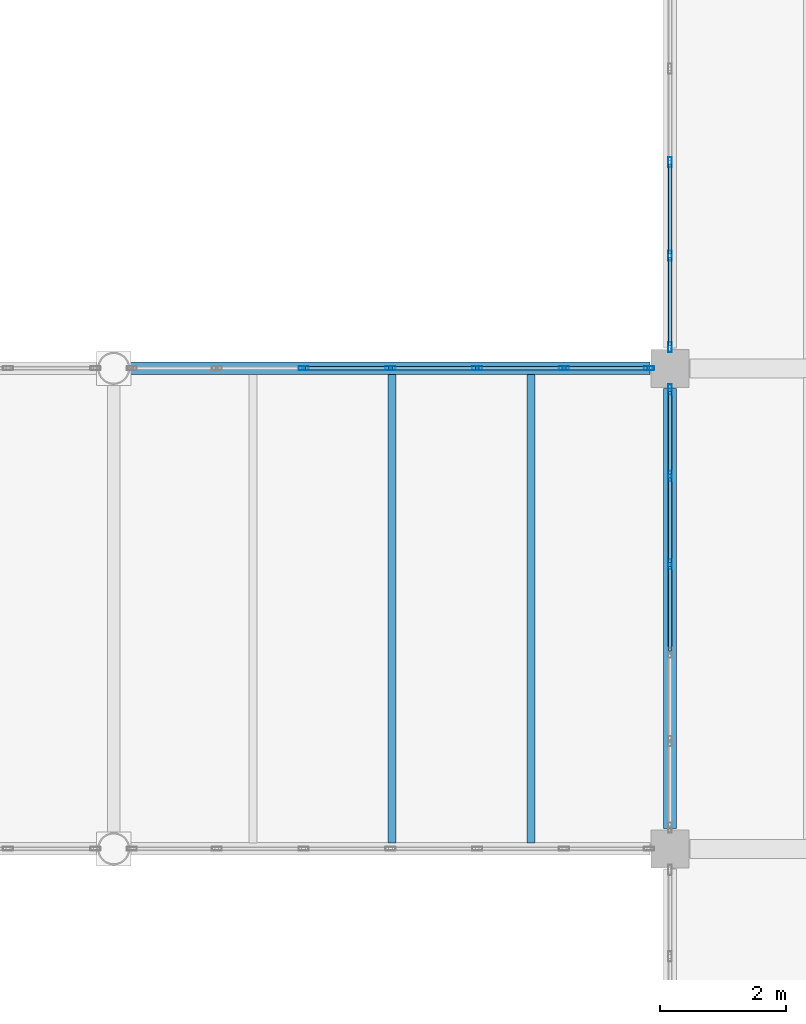
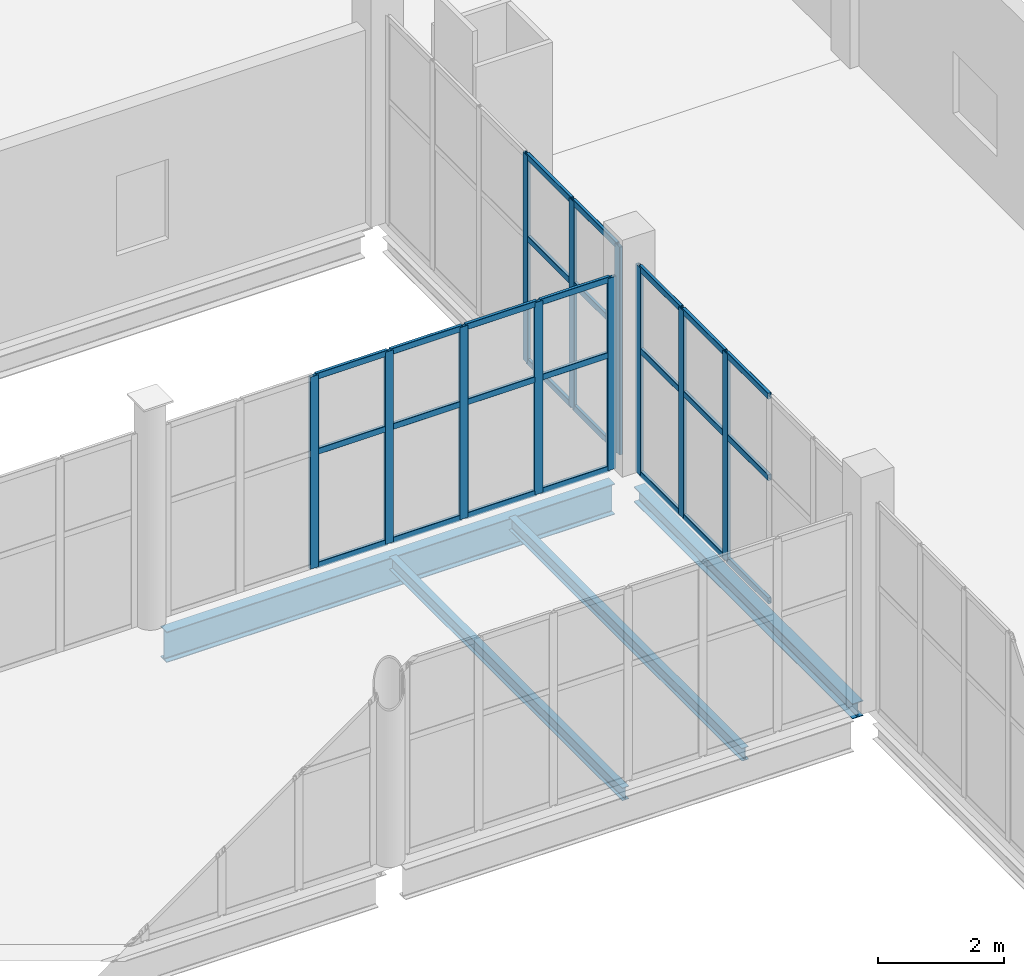
# One storey, part 87 of 136: 38 members, 4 beams, 3 elements without a shape of their own.
"""IFC4 building model written with IfcOpenShell, lengths in metres."""

from ifc_helpers import new_model, si_unit, direction, frame, origin, origin_2d, place, context, subcontext, project, spatial, hollow_rectangle, i_section, extrude, material, material_profile, profile_set, type_object, element, aggregate, save


model = new_model("IFC4")

# Units and contexts
model_context = context("Model", 3, precision=1e-05, world=origin(), true_north=direction((0.0, 1.0)))
body_context = subcontext(model_context, "Body", "Model", "MODEL_VIEW")
ifc_project = project(units=[si_unit("LENGTHUNIT", "METRE"), si_unit("AREAUNIT", "SQUARE_METRE"), si_unit("VOLUMEUNIT", "CUBIC_METRE"), si_unit("PLANEANGLEUNIT", "RADIAN"), si_unit("MASSUNIT", "GRAM", prefix="KILO")], contexts=[model_context])

# Site, building, storey
site_placement = place(None, origin())
site = spatial("IfcSite", under=ifc_project, at=site_placement, CompositionType="ELEMENT")
building_placement = place(site_placement, origin())
building = spatial("IfcBuilding", under=site, at=building_placement, Name="Shengluoqiao Park Theatre", CompositionType="ELEMENT")
storey_placement = place(building_placement, frame((0.0, 0.0, 10.0)))
storey = spatial("IfcBuildingStorey", under=building, at=storey_placement, Name="L02", CompositionType="ELEMENT", Elevation=10.0)

# Curtain wall, members
ifc_material_1 = material(Name="Aluminium 6063-T6", Category="aluminium")
curtain_wall_type_1 = type_object("IfcCurtainWallType", Name="ENV-CW-BRIDGE", PredefinedType="NOTDEFINED", material=ifc_material_1)
curtain_wall_1_placement = place(storey_placement, origin())
curtain_wall_1 = element("IfcCurtainWall", 1, at=curtain_wall_1_placement, inside=storey, type_object=curtain_wall_type_1, Name="L02 Curtain Wall CWX-L02-0122", PredefinedType="NOTDEFINED")
ifc_material_profile_1 = material_profile(ifc_material_1, hollow_rectangle(XDim=0.06005859375, YDim=0.159912109375, WallThickness=0.00390625, InnerFilletRadius=0.00390625, OuterFilletRadius=0.008056640625, at=origin_2d()), Name="ALU MULLION 160x60x4")
ifc_profile_set_1 = profile_set([ifc_material_profile_1], Name="Aluminium 6063-T6")
member_type_1 = type_object("IfcMemberType", Name="ENV-MUL-160", PredefinedType="MULLION", material=ifc_profile_set_1)
member_1_placement = place(storey_placement, frame((151.404052734375, 76.0, 0.0), z_axis=(0.0, 0.0, 1.0), x_axis=(0.0, 1.0, 0.0)))
member_1 = element("IfcMember", 2, at=member_1_placement, type_object=member_type_1, Name="CW-03 mullion 3", PredefinedType="MULLION", context=body_context, shape_type="SweptSolid", body=[
    extrude(hollow_rectangle(XDim=0.06005859375, YDim=0.159912109375, WallThickness=0.00390625, InnerFilletRadius=0.00390625, OuterFilletRadius=0.008056640625, at=origin_2d()), origin(), (0.0, 0.0, 1.0), 3.73193359375),
])
member_2_placement = place(storey_placement, frame((152.777099609375, 76.0, 0.0), z_axis=(0.0, 0.0, 1.0), x_axis=(0.0, 1.0, 0.0)))
member_2 = element("IfcMember", 3, at=member_2_placement, type_object=member_type_1, Name="CW-03 mullion 4", PredefinedType="MULLION", context=body_context, shape_type="SweptSolid", body=[
    extrude(hollow_rectangle(XDim=0.06005859375, YDim=0.159912109375, WallThickness=0.00390625, InnerFilletRadius=0.00390625, OuterFilletRadius=0.008056640625, at=origin_2d()), origin(), (0.0, 0.0, 1.0), 3.73193359375),
])
member_3_placement = place(storey_placement, frame((154.14990234375, 76.0, 0.0), z_axis=(0.0, 0.0, 1.0), x_axis=(0.0, 1.0, 0.0)))
member_3 = element("IfcMember", 4, at=member_3_placement, type_object=member_type_1, Name="CW-03 mullion 5", PredefinedType="MULLION", context=body_context, shape_type="SweptSolid", body=[
    extrude(hollow_rectangle(XDim=0.06005859375, YDim=0.159912109375, WallThickness=0.00390625, InnerFilletRadius=0.00390625, OuterFilletRadius=0.008056640625, at=origin_2d()), origin(), (0.0, 0.0, 1.0), 3.73193359375),
])
member_4_placement = place(storey_placement, frame((155.52294921875, 76.0, 0.0), z_axis=(0.0, 0.0, 1.0), x_axis=(0.0, 1.0, 0.0)))
member_4 = element("IfcMember", 5, at=member_4_placement, type_object=member_type_1, Name="CW-03 mullion 6", PredefinedType="MULLION", context=body_context, shape_type="SweptSolid", body=[
    extrude(hollow_rectangle(XDim=0.06005859375, YDim=0.159912109375, WallThickness=0.00390625, InnerFilletRadius=0.00390625, OuterFilletRadius=0.008056640625, at=origin_2d()), origin(), (0.0, 0.0, 1.0), 3.73193359375),
])
member_5_placement = place(storey_placement, frame((156.865966796875, 76.0, 0.0), z_axis=(0.0, 0.0, 1.0), x_axis=(0.0, 1.0, 0.0)))
member_5 = element("IfcMember", 6, at=member_5_placement, type_object=member_type_1, Name="CW-03 mullion 7", PredefinedType="MULLION", context=body_context, shape_type="SweptSolid", body=[
    extrude(hollow_rectangle(XDim=0.06005859375, YDim=0.159912109375, WallThickness=0.00390625, InnerFilletRadius=0.00390625, OuterFilletRadius=0.008056640625, at=origin_2d()), origin(), (0.0, 0.0, 1.0), 3.73193359375),
])

curtain_wall_type_2 = type_object("IfcCurtainWallType", Name="ENV-CW-COURT", PredefinedType="NOTDEFINED", material=ifc_material_1)
curtain_wall_2_placement = place(storey_placement, origin())
curtain_wall_2 = element("IfcCurtainWall", 7, at=curtain_wall_2_placement, inside=storey, type_object=curtain_wall_type_2, Name="L02 Curtain Wall CWX-L02-0198", PredefinedType="NOTDEFINED")
member_6_placement = place(storey_placement, frame((157.199951171875, 72.899169921875, 0.0), z_axis=(0.0, 0.0, 1.0), x_axis=(-1.0, 0.0, 0.0)))
member_6 = element("IfcMember", 8, at=member_6_placement, type_object=member_type_1, Name="CW-05 mullion 4", PredefinedType="MULLION", context=body_context, shape_type="SweptSolid", body=[
    extrude(hollow_rectangle(XDim=0.06005859375, YDim=0.159912109375, WallThickness=0.00390625, InnerFilletRadius=0.00390625, OuterFilletRadius=0.008056640625, at=origin_2d()), origin(), (0.0, 0.0, 1.0), 4.033935546875),
])
member_7_placement = place(storey_placement, frame((157.199951171875, 74.297607421875, 0.0), z_axis=(0.0, 0.0, 1.0), x_axis=(-1.0, 0.0, 0.0)))
member_7 = element("IfcMember", 9, at=member_7_placement, type_object=member_type_1, Name="CW-05 mullion 5", PredefinedType="MULLION", context=body_context, shape_type="SweptSolid", body=[
    extrude(hollow_rectangle(XDim=0.06005859375, YDim=0.159912109375, WallThickness=0.00390625, InnerFilletRadius=0.00390625, OuterFilletRadius=0.008056640625, at=origin_2d()), origin(), (0.0, 0.0, 1.0), 4.033935546875),
])
member_8_placement = place(storey_placement, frame((157.199951171875, 75.666015625, 0.0), z_axis=(0.0, 0.0, 1.0), x_axis=(-1.0, 0.0, 0.0)))
member_8 = element("IfcMember", 10, at=member_8_placement, type_object=member_type_1, Name="CW-05 mullion 6", PredefinedType="MULLION", context=body_context, shape_type="SweptSolid", body=[
    extrude(hollow_rectangle(XDim=0.06005859375, YDim=0.159912109375, WallThickness=0.00390625, InnerFilletRadius=0.00390625, OuterFilletRadius=0.008056640625, at=origin_2d()), origin(), (0.0, 0.0, 1.0), 4.033935546875),
])

curtain_wall_3_placement = place(storey_placement, origin())
curtain_wall_3 = element("IfcCurtainWall", 11, at=curtain_wall_3_placement, inside=storey, type_object=curtain_wall_type_2, Name="L02 Curtain Wall CWX-L02-0199", PredefinedType="NOTDEFINED")
member_9_placement = place(storey_placement, frame((157.199951171875, 76.333984375, 0.0), z_axis=(0.0, 0.0, 1.0), x_axis=(-1.0, 0.0, 0.0)))
member_9 = element("IfcMember", 12, at=member_9_placement, type_object=member_type_1, Name="CW-05 mullion 1", PredefinedType="MULLION", context=body_context, shape_type="SweptSolid", body=[
    extrude(hollow_rectangle(XDim=0.06005859375, YDim=0.159912109375, WallThickness=0.00390625, InnerFilletRadius=0.00390625, OuterFilletRadius=0.008056640625, at=origin_2d()), origin(), (0.0, 0.0, 1.0), 4.033935546875),
])
member_10_placement = place(storey_placement, frame((157.199951171875, 77.782470703125, 0.0), z_axis=(0.0, 0.0, 1.0), x_axis=(-1.0, 0.0, 0.0)))
member_10 = element("IfcMember", 13, at=member_10_placement, type_object=member_type_1, Name="CW-05 mullion 2", PredefinedType="MULLION", context=body_context, shape_type="SweptSolid", body=[
    extrude(hollow_rectangle(XDim=0.06005859375, YDim=0.159912109375, WallThickness=0.00390625, InnerFilletRadius=0.00390625, OuterFilletRadius=0.008056640625, at=origin_2d()), origin(), (0.0, 0.0, 1.0), 4.033935546875),
])
member_11_placement = place(storey_placement, frame((157.199951171875, 79.2607421875, 0.0), z_axis=(0.0, 0.0, 1.0), x_axis=(-1.0, 0.0, 0.0)))
member_11 = element("IfcMember", 14, at=member_11_placement, type_object=member_type_1, Name="CW-05 mullion 3", PredefinedType="MULLION", context=body_context, shape_type="SweptSolid", body=[
    extrude(hollow_rectangle(XDim=0.06005859375, YDim=0.159912109375, WallThickness=0.00390625, InnerFilletRadius=0.00390625, OuterFilletRadius=0.008056640625, at=origin_2d()), origin(), (0.0, 0.0, 1.0), 4.033935546875),
])

# Member
ifc_material_profile_2 = material_profile(ifc_material_1, hollow_rectangle(XDim=0.06005859375, YDim=0.1201171875, WallThickness=0.00390625, InnerFilletRadius=0.00390625, OuterFilletRadius=0.008056640625, at=origin_2d()), Name="ALU TRANSOM 120x60x4")
ifc_profile_set_2 = profile_set([ifc_material_profile_2], Name="Aluminium 6063-T6")
member_type_2 = type_object("IfcMemberType", Name="ENV-TRN-120", PredefinedType="USERDEFINED", material=ifc_profile_set_2)
member_12_placement = place(storey_placement, frame((151.43408203125, 76.0, 0.030029296875), z_axis=(1.0, 0.0, 0.0), x_axis=(0.0, 1.0, 0.0)))
member_12 = element("IfcMember", 15, at=member_12_placement, type_object=member_type_2, Name="CW-03 transom 3.1", ObjectType="TRANSOM", PredefinedType="USERDEFINED", context=body_context, shape_type="SweptSolid", body=[
    extrude(hollow_rectangle(XDim=0.06005859375, YDim=0.1201171875, WallThickness=0.00390625, InnerFilletRadius=0.00390625, OuterFilletRadius=0.008056640625, at=origin_2d()), origin(), (0.0, 0.0, 1.0), 1.31298828125),
])

member_13_placement = place(storey_placement, frame((151.43408203125, 76.0, 2.239013671875), z_axis=(1.0, 0.0, 0.0), x_axis=(0.0, 1.0, 0.0)))
member_13 = element("IfcMember", 16, at=member_13_placement, type_object=member_type_2, Name="CW-03 transom 3.2", ObjectType="TRANSOM", PredefinedType="USERDEFINED", context=body_context, shape_type="SweptSolid", body=[
    extrude(hollow_rectangle(XDim=0.06005859375, YDim=0.1201171875, WallThickness=0.00390625, InnerFilletRadius=0.00390625, OuterFilletRadius=0.008056640625, at=origin_2d()), origin(), (0.0, 0.0, 1.0), 1.31298828125),
])

member_14_placement = place(storey_placement, frame((151.43408203125, 76.0, 3.701904296875), z_axis=(1.0, 0.0, 0.0), x_axis=(0.0, 1.0, 0.0)))
member_14 = element("IfcMember", 17, at=member_14_placement, type_object=member_type_2, Name="CW-03 transom 3.3", ObjectType="TRANSOM", PredefinedType="USERDEFINED", context=body_context, shape_type="SweptSolid", body=[
    extrude(hollow_rectangle(XDim=0.06005859375, YDim=0.1201171875, WallThickness=0.00390625, InnerFilletRadius=0.00390625, OuterFilletRadius=0.008056640625, at=origin_2d()), origin(), (0.0, 0.0, 1.0), 1.31298828125),
])

member_15_placement = place(storey_placement, frame((152.806884765625, 76.0, 0.030029296875), z_axis=(1.0, 0.0, 0.0), x_axis=(0.0, 1.0, 0.0)))
member_15 = element("IfcMember", 18, at=member_15_placement, type_object=member_type_2, Name="CW-03 transom 4.1", ObjectType="TRANSOM", PredefinedType="USERDEFINED", context=body_context, shape_type="SweptSolid", body=[
    extrude(hollow_rectangle(XDim=0.06005859375, YDim=0.1201171875, WallThickness=0.00390625, InnerFilletRadius=0.00390625, OuterFilletRadius=0.008056640625, at=origin_2d()), origin(), (0.0, 0.0, 1.0), 1.313232421875),
])

member_16_placement = place(storey_placement, frame((152.806884765625, 76.0, 2.239013671875), z_axis=(1.0, 0.0, 0.0), x_axis=(0.0, 1.0, 0.0)))
member_16 = element("IfcMember", 19, at=member_16_placement, type_object=member_type_2, Name="CW-03 transom 4.2", ObjectType="TRANSOM", PredefinedType="USERDEFINED", context=body_context, shape_type="SweptSolid", body=[
    extrude(hollow_rectangle(XDim=0.06005859375, YDim=0.1201171875, WallThickness=0.00390625, InnerFilletRadius=0.00390625, OuterFilletRadius=0.008056640625, at=origin_2d()), origin(), (0.0, 0.0, 1.0), 1.313232421875),
])

member_17_placement = place(storey_placement, frame((152.806884765625, 76.0, 3.701904296875), z_axis=(1.0, 0.0, 0.0), x_axis=(0.0, 1.0, 0.0)))
member_17 = element("IfcMember", 20, at=member_17_placement, type_object=member_type_2, Name="CW-03 transom 4.3", ObjectType="TRANSOM", PredefinedType="USERDEFINED", context=body_context, shape_type="SweptSolid", body=[
    extrude(hollow_rectangle(XDim=0.06005859375, YDim=0.1201171875, WallThickness=0.00390625, InnerFilletRadius=0.00390625, OuterFilletRadius=0.008056640625, at=origin_2d()), origin(), (0.0, 0.0, 1.0), 1.313232421875),
])

member_18_placement = place(storey_placement, frame((154.179931640625, 76.0, 0.030029296875), z_axis=(1.0, 0.0, 0.0), x_axis=(0.0, 1.0, 0.0)))
member_18 = element("IfcMember", 21, at=member_18_placement, type_object=member_type_2, Name="CW-03 transom 5.1", ObjectType="TRANSOM", PredefinedType="USERDEFINED", context=body_context, shape_type="SweptSolid", body=[
    extrude(hollow_rectangle(XDim=0.06005859375, YDim=0.1201171875, WallThickness=0.00390625, InnerFilletRadius=0.00390625, OuterFilletRadius=0.008056640625, at=origin_2d()), origin(), (0.0, 0.0, 1.0), 1.31298828125),
])

member_19_placement = place(storey_placement, frame((154.179931640625, 76.0, 2.239013671875), z_axis=(1.0, 0.0, 0.0), x_axis=(0.0, 1.0, 0.0)))
member_19 = element("IfcMember", 22, at=member_19_placement, type_object=member_type_2, Name="CW-03 transom 5.2", ObjectType="TRANSOM", PredefinedType="USERDEFINED", context=body_context, shape_type="SweptSolid", body=[
    extrude(hollow_rectangle(XDim=0.06005859375, YDim=0.1201171875, WallThickness=0.00390625, InnerFilletRadius=0.00390625, OuterFilletRadius=0.008056640625, at=origin_2d()), origin(), (0.0, 0.0, 1.0), 1.31298828125),
])

member_20_placement = place(storey_placement, frame((154.179931640625, 76.0, 3.701904296875), z_axis=(1.0, 0.0, 0.0), x_axis=(0.0, 1.0, 0.0)))
member_20 = element("IfcMember", 23, at=member_20_placement, type_object=member_type_2, Name="CW-03 transom 5.3", ObjectType="TRANSOM", PredefinedType="USERDEFINED", context=body_context, shape_type="SweptSolid", body=[
    extrude(hollow_rectangle(XDim=0.06005859375, YDim=0.1201171875, WallThickness=0.00390625, InnerFilletRadius=0.00390625, OuterFilletRadius=0.008056640625, at=origin_2d()), origin(), (0.0, 0.0, 1.0), 1.31298828125),
])

member_21_placement = place(storey_placement, frame((155.552978515625, 76.0, 0.030029296875), z_axis=(1.0, 0.0, 0.0), x_axis=(0.0, 1.0, 0.0)))
member_21 = element("IfcMember", 24, at=member_21_placement, type_object=member_type_2, Name="CW-03 transom 6.1", ObjectType="TRANSOM", PredefinedType="USERDEFINED", context=body_context, shape_type="SweptSolid", body=[
    extrude(hollow_rectangle(XDim=0.06005859375, YDim=0.1201171875, WallThickness=0.00390625, InnerFilletRadius=0.00390625, OuterFilletRadius=0.008056640625, at=origin_2d()), origin(), (0.0, 0.0, 1.0), 1.282958984375),
])

member_22_placement = place(storey_placement, frame((155.552978515625, 76.0, 2.239013671875), z_axis=(1.0, 0.0, 0.0), x_axis=(0.0, 1.0, 0.0)))
member_22 = element("IfcMember", 25, at=member_22_placement, type_object=member_type_2, Name="CW-03 transom 6.2", ObjectType="TRANSOM", PredefinedType="USERDEFINED", context=body_context, shape_type="SweptSolid", body=[
    extrude(hollow_rectangle(XDim=0.06005859375, YDim=0.1201171875, WallThickness=0.00390625, InnerFilletRadius=0.00390625, OuterFilletRadius=0.008056640625, at=origin_2d()), origin(), (0.0, 0.0, 1.0), 1.282958984375),
])

member_23_placement = place(storey_placement, frame((155.552978515625, 76.0, 3.701904296875), z_axis=(1.0, 0.0, 0.0), x_axis=(0.0, 1.0, 0.0)))
member_23 = element("IfcMember", 26, at=member_23_placement, type_object=member_type_2, Name="CW-03 transom 6.3", ObjectType="TRANSOM", PredefinedType="USERDEFINED", context=body_context, shape_type="SweptSolid", body=[
    extrude(hollow_rectangle(XDim=0.06005859375, YDim=0.1201171875, WallThickness=0.00390625, InnerFilletRadius=0.00390625, OuterFilletRadius=0.008056640625, at=origin_2d()), origin(), (0.0, 0.0, 1.0), 1.282958984375),
])

aggregate(curtain_wall_1, [member_1, member_2, member_3, member_4, member_5, member_12, member_13, member_14, member_15, member_16, member_17, member_18, member_19, member_20, member_21, member_22, member_23])

member_24_placement = place(storey_placement, frame((157.199951171875, 71.53076171875, 0.030029296875), z_axis=(0.0, 1.0, 0.0), x_axis=(-1.0, 0.0, 0.0)))
member_24 = element("IfcMember", 27, at=member_24_placement, type_object=member_type_2, Name="CW-05 transom 3.1", ObjectType="TRANSOM", PredefinedType="USERDEFINED", context=body_context, shape_type="SweptSolid", body=[
    extrude(hollow_rectangle(XDim=0.06005859375, YDim=0.1201171875, WallThickness=0.00390625, InnerFilletRadius=0.00390625, OuterFilletRadius=0.008056640625, at=origin_2d()), origin(), (0.0, 0.0, 1.0), 1.33837890625),
])

member_25_placement = place(storey_placement, frame((157.199951171875, 71.53076171875, 2.419921875), z_axis=(0.0, 1.0, 0.0), x_axis=(-1.0, 0.0, 0.0)))
member_25 = element("IfcMember", 28, at=member_25_placement, type_object=member_type_2, Name="CW-05 transom 3.2", ObjectType="TRANSOM", PredefinedType="USERDEFINED", context=body_context, shape_type="SweptSolid", body=[
    extrude(hollow_rectangle(XDim=0.06005859375, YDim=0.1201171875, WallThickness=0.00390625, InnerFilletRadius=0.00390625, OuterFilletRadius=0.008056640625, at=origin_2d()), origin(), (0.0, 0.0, 1.0), 1.33837890625),
])

member_26_placement = place(storey_placement, frame((157.199951171875, 71.53076171875, 4.00390625), z_axis=(0.0, 1.0, 0.0), x_axis=(-1.0, 0.0, 0.0)))
member_26 = element("IfcMember", 29, at=member_26_placement, type_object=member_type_2, Name="CW-05 transom 3.3", ObjectType="TRANSOM", PredefinedType="USERDEFINED", context=body_context, shape_type="SweptSolid", body=[
    extrude(hollow_rectangle(XDim=0.06005859375, YDim=0.1201171875, WallThickness=0.00390625, InnerFilletRadius=0.00390625, OuterFilletRadius=0.008056640625, at=origin_2d()), origin(), (0.0, 0.0, 1.0), 1.33837890625),
])

member_27_placement = place(storey_placement, frame((157.199951171875, 72.92919921875, 0.030029296875), z_axis=(0.0, 1.0, 0.0), x_axis=(-1.0, 0.0, 0.0)))
member_27 = element("IfcMember", 30, at=member_27_placement, type_object=member_type_2, Name="CW-05 transom 4.1", ObjectType="TRANSOM", PredefinedType="USERDEFINED", context=body_context, shape_type="SweptSolid", body=[
    extrude(hollow_rectangle(XDim=0.06005859375, YDim=0.1201171875, WallThickness=0.00390625, InnerFilletRadius=0.00390625, OuterFilletRadius=0.008056640625, at=origin_2d()), origin(), (0.0, 0.0, 1.0), 1.33837890625),
])

member_28_placement = place(storey_placement, frame((157.199951171875, 72.92919921875, 2.419921875), z_axis=(0.0, 1.0, 0.0), x_axis=(-1.0, 0.0, 0.0)))
member_28 = element("IfcMember", 31, at=member_28_placement, type_object=member_type_2, Name="CW-05 transom 4.2", ObjectType="TRANSOM", PredefinedType="USERDEFINED", context=body_context, shape_type="SweptSolid", body=[
    extrude(hollow_rectangle(XDim=0.06005859375, YDim=0.1201171875, WallThickness=0.00390625, InnerFilletRadius=0.00390625, OuterFilletRadius=0.008056640625, at=origin_2d()), origin(), (0.0, 0.0, 1.0), 1.33837890625),
])

member_29_placement = place(storey_placement, frame((157.199951171875, 72.92919921875, 4.00390625), z_axis=(0.0, 1.0, 0.0), x_axis=(-1.0, 0.0, 0.0)))
member_29 = element("IfcMember", 32, at=member_29_placement, type_object=member_type_2, Name="CW-05 transom 4.3", ObjectType="TRANSOM", PredefinedType="USERDEFINED", context=body_context, shape_type="SweptSolid", body=[
    extrude(hollow_rectangle(XDim=0.06005859375, YDim=0.1201171875, WallThickness=0.00390625, InnerFilletRadius=0.00390625, OuterFilletRadius=0.008056640625, at=origin_2d()), origin(), (0.0, 0.0, 1.0), 1.33837890625),
])

member_30_placement = place(storey_placement, frame((157.199951171875, 74.32763671875, 0.030029296875), z_axis=(0.0, 1.0, 0.0), x_axis=(-1.0, 0.0, 0.0)))
member_30 = element("IfcMember", 33, at=member_30_placement, type_object=member_type_2, Name="CW-05 transom 5.1", ObjectType="TRANSOM", PredefinedType="USERDEFINED", context=body_context, shape_type="SweptSolid", body=[
    extrude(hollow_rectangle(XDim=0.06005859375, YDim=0.1201171875, WallThickness=0.00390625, InnerFilletRadius=0.00390625, OuterFilletRadius=0.008056640625, at=origin_2d()), origin(), (0.0, 0.0, 1.0), 1.308349609375),
])

member_31_placement = place(storey_placement, frame((157.199951171875, 74.32763671875, 2.419921875), z_axis=(0.0, 1.0, 0.0), x_axis=(-1.0, 0.0, 0.0)))
member_31 = element("IfcMember", 34, at=member_31_placement, type_object=member_type_2, Name="CW-05 transom 5.2", ObjectType="TRANSOM", PredefinedType="USERDEFINED", context=body_context, shape_type="SweptSolid", body=[
    extrude(hollow_rectangle(XDim=0.06005859375, YDim=0.1201171875, WallThickness=0.00390625, InnerFilletRadius=0.00390625, OuterFilletRadius=0.008056640625, at=origin_2d()), origin(), (0.0, 0.0, 1.0), 1.308349609375),
])

member_32_placement = place(storey_placement, frame((157.199951171875, 74.32763671875, 4.00390625), z_axis=(0.0, 1.0, 0.0), x_axis=(-1.0, 0.0, 0.0)))
member_32 = element("IfcMember", 35, at=member_32_placement, type_object=member_type_2, Name="CW-05 transom 5.3", ObjectType="TRANSOM", PredefinedType="USERDEFINED", context=body_context, shape_type="SweptSolid", body=[
    extrude(hollow_rectangle(XDim=0.06005859375, YDim=0.1201171875, WallThickness=0.00390625, InnerFilletRadius=0.00390625, OuterFilletRadius=0.008056640625, at=origin_2d()), origin(), (0.0, 0.0, 1.0), 1.308349609375),
])

aggregate(curtain_wall_2, [member_6, member_7, member_8, member_24, member_25, member_26, member_27, member_28, member_29, member_30, member_31, member_32])

member_33_placement = place(storey_placement, frame((157.199951171875, 76.364013671875, 0.030029296875), z_axis=(0.0, 1.0, 0.0), x_axis=(-1.0, 0.0, 0.0)))
member_33 = element("IfcMember", 36, at=member_33_placement, type_object=member_type_2, Name="CW-05 transom 1.1", ObjectType="TRANSOM", PredefinedType="USERDEFINED", context=body_context, shape_type="SweptSolid", body=[
    extrude(hollow_rectangle(XDim=0.06005859375, YDim=0.1201171875, WallThickness=0.00390625, InnerFilletRadius=0.00390625, OuterFilletRadius=0.008056640625, at=origin_2d()), origin(), (0.0, 0.0, 1.0), 1.388427734375),
])

member_34_placement = place(storey_placement, frame((157.199951171875, 76.364013671875, 2.419921875), z_axis=(0.0, 1.0, 0.0), x_axis=(-1.0, 0.0, 0.0)))
member_34 = element("IfcMember", 37, at=member_34_placement, type_object=member_type_2, Name="CW-05 transom 1.2", ObjectType="TRANSOM", PredefinedType="USERDEFINED", context=body_context, shape_type="SweptSolid", body=[
    extrude(hollow_rectangle(XDim=0.06005859375, YDim=0.1201171875, WallThickness=0.00390625, InnerFilletRadius=0.00390625, OuterFilletRadius=0.008056640625, at=origin_2d()), origin(), (0.0, 0.0, 1.0), 1.388427734375),
])

member_35_placement = place(storey_placement, frame((157.199951171875, 76.364013671875, 4.00390625), z_axis=(0.0, 1.0, 0.0), x_axis=(-1.0, 0.0, 0.0)))
member_35 = element("IfcMember", 38, at=member_35_placement, type_object=member_type_2, Name="CW-05 transom 1.3", ObjectType="TRANSOM", PredefinedType="USERDEFINED", context=body_context, shape_type="SweptSolid", body=[
    extrude(hollow_rectangle(XDim=0.06005859375, YDim=0.1201171875, WallThickness=0.00390625, InnerFilletRadius=0.00390625, OuterFilletRadius=0.008056640625, at=origin_2d()), origin(), (0.0, 0.0, 1.0), 1.388427734375),
])

member_36_placement = place(storey_placement, frame((157.199951171875, 77.8125, 0.030029296875), z_axis=(0.0, 1.0, 0.0), x_axis=(-1.0, 0.0, 0.0)))
member_36 = element("IfcMember", 39, at=member_36_placement, type_object=member_type_2, Name="CW-05 transom 2.1", ObjectType="TRANSOM", PredefinedType="USERDEFINED", context=body_context, shape_type="SweptSolid", body=[
    extrude(hollow_rectangle(XDim=0.06005859375, YDim=0.1201171875, WallThickness=0.00390625, InnerFilletRadius=0.00390625, OuterFilletRadius=0.008056640625, at=origin_2d()), origin(), (0.0, 0.0, 1.0), 1.418212890625),
])

member_37_placement = place(storey_placement, frame((157.199951171875, 77.8125, 2.419921875), z_axis=(0.0, 1.0, 0.0), x_axis=(-1.0, 0.0, 0.0)))
member_37 = element("IfcMember", 40, at=member_37_placement, type_object=member_type_2, Name="CW-05 transom 2.2", ObjectType="TRANSOM", PredefinedType="USERDEFINED", context=body_context, shape_type="SweptSolid", body=[
    extrude(hollow_rectangle(XDim=0.06005859375, YDim=0.1201171875, WallThickness=0.00390625, InnerFilletRadius=0.00390625, OuterFilletRadius=0.008056640625, at=origin_2d()), origin(), (0.0, 0.0, 1.0), 1.418212890625),
])

member_38_placement = place(storey_placement, frame((157.199951171875, 77.8125, 4.00390625), z_axis=(0.0, 1.0, 0.0), x_axis=(-1.0, 0.0, 0.0)))
member_38 = element("IfcMember", 41, at=member_38_placement, type_object=member_type_2, Name="CW-05 transom 2.3", ObjectType="TRANSOM", PredefinedType="USERDEFINED", context=body_context, shape_type="SweptSolid", body=[
    extrude(hollow_rectangle(XDim=0.06005859375, YDim=0.1201171875, WallThickness=0.00390625, InnerFilletRadius=0.00390625, OuterFilletRadius=0.008056640625, at=origin_2d()), origin(), (0.0, 0.0, 1.0), 1.418212890625),
])

aggregate(curtain_wall_3, [member_9, member_10, member_11, member_33, member_34, member_35, member_36, member_37, member_38])

# Beams
ifc_material_2 = material(Name="Steel Q355", Category="steel")
ifc_material_profile_3 = material_profile(ifc_material_2, i_section(OverallWidth=0.199951171875, OverallDepth=0.2939453125, WebThickness=0.008056640625, FlangeThickness=0.011962890625, FilletRadius=0.01611328125, at=origin_2d()), Name="HM 294x200x8x12")
ifc_profile_set_3 = profile_set([ifc_material_profile_3], Name="Steel Q355")
beam_type_1 = type_object("IfcBeamType", Name="STR-BM-G-HM294", PredefinedType="BEAM", material=ifc_profile_set_3)
beam_1_placement = place(storey_placement, frame((157.199951171875, 68.718994140625, -0.386962890625), z_axis=(0.0, 1.0, 0.0), x_axis=(-1.0, 0.0, 0.0)))
element("IfcBeam", 42, at=beam_1_placement, inside=storey, type_object=beam_type_1, Name="L02 Transverse Girder 01028", PredefinedType="BEAM", context=body_context, shape_type="SweptSolid", body=[
    extrude(i_section(OverallWidth=0.199951171875, OverallDepth=0.2939453125, WebThickness=0.008056640625, FlangeThickness=0.011962890625, FilletRadius=0.01611328125, at=origin_2d()), origin(), (0.0, 0.0, 1.0), 6.9619140625),
])
ifc_material_profile_4 = material_profile(ifc_material_2, i_section(OverallWidth=0.125, OverallDepth=0.25, WebThickness=0.006103515625, FlangeThickness=0.009033203125, FilletRadius=0.010009765625, at=origin_2d()), Name="HN 250x125x6x9")
ifc_profile_set_4 = profile_set([ifc_material_profile_4], Name="Steel Q355")
beam_type_2 = type_object("IfcBeamType", Name="STR-BM-J-HN250", PredefinedType="JOIST", material=ifc_profile_set_4)
for number, where, z_axis, x_axis, name in (
    (43, (152.800048828125, 68.494384765625, -0.3349609375), (0.0, 1.0, 0.0), (-1.0, 0.0, 0.0), "L02 Composite Joist 01051"),
    (44, (155.0, 68.494384765625, -0.3349609375), (0.0, 1.0, 0.0), (-1.0, 0.0, 0.0), "L02 Composite Joist 01052"),
):
    element("IfcBeam", number, at=place(storey_placement, frame(where, z_axis=z_axis, x_axis=x_axis)), inside=storey, type_object=beam_type_2, Name=name, PredefinedType="JOIST", context=body_context, shape_type="SweptSolid", body=[
        extrude(i_section(OverallWidth=0.125, OverallDepth=0.25, WebThickness=0.006103515625, FlangeThickness=0.009033203125, FilletRadius=0.010009765625, at=origin_2d()), origin(), (0.0, 0.0, 1.0), 7.4111328125),
    ])
ifc_material_profile_5 = material_profile(ifc_material_2, i_section(OverallWidth=0.198974609375, OverallDepth=0.595947265625, WebThickness=0.010009765625, FlangeThickness=0.014892578125, FilletRadius=0.02001953125, at=origin_2d()), Name="HN 596x199x10x15")
ifc_profile_set_5 = profile_set([ifc_material_profile_5], Name="Steel Q355")
beam_type_3 = type_object("IfcBeamType", Name="STR-BM-SP-HN596", PredefinedType="SPANDREL", material=ifc_profile_set_5)
beam_2_placement = place(storey_placement, frame((148.64794921875, 76.0, -0.5380859375), z_axis=(1.0, 0.0, 0.0), x_axis=(0.0, 1.0, 0.0)))
element("IfcBeam", 45, at=beam_2_placement, inside=storey, type_object=beam_type_3, Name="L02 Primary Girder 01020", PredefinedType="SPANDREL", context=body_context, shape_type="SweptSolid", body=[
    extrude(i_section(OverallWidth=0.198974609375, OverallDepth=0.595947265625, WebThickness=0.010009765625, FlangeThickness=0.014892578125, FilletRadius=0.02001953125, at=origin_2d()), origin(), (0.0, 0.0, 1.0), 8.233154296875),
])

save(model, "model.ifc")
